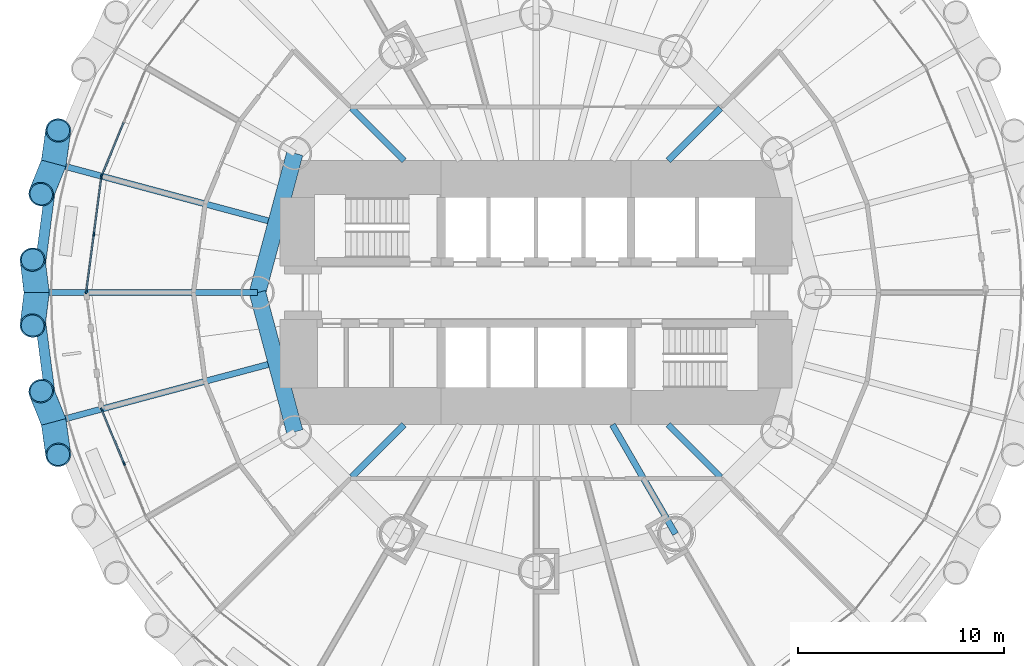
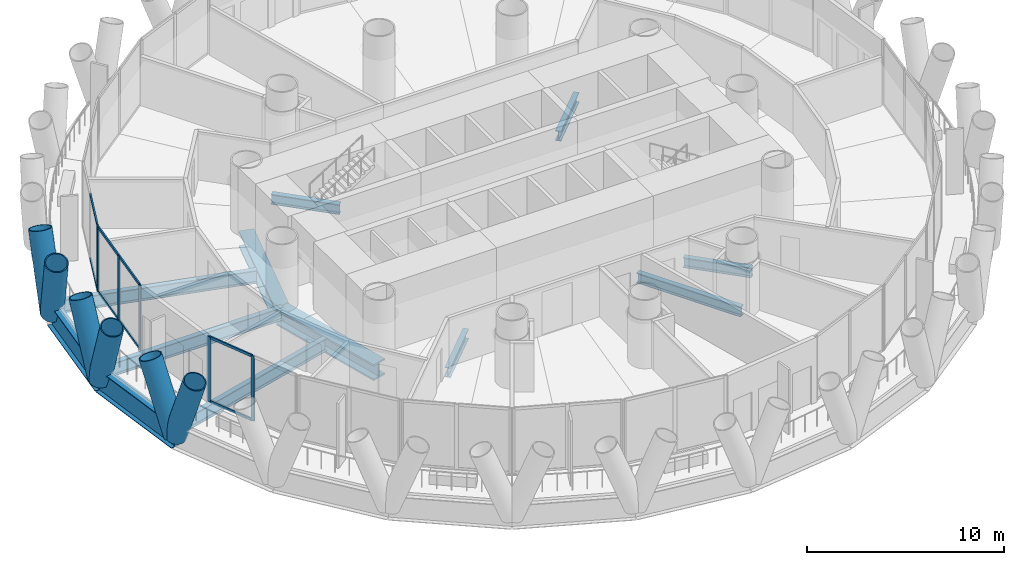
# One storey, part 3 of 16: 20 members, 12 beams, 3 elements without a shape of their own.
"""IFC4 building model written with IfcOpenShell, lengths in metres."""

from ifc_helpers import new_model, si_unit, direction, frame, origin, origin_2d, place, context, subcontext, project, spatial, rectangle, hollow_circle, i_section, extrude, material, material_profile, profile_set, type_object, element, aggregate, save


model = new_model("IFC4")

# Units and contexts
model_context = context("Model", 3, precision=1e-05, world=origin(), true_north=direction((0.0, 1.0)))
body_context = subcontext(model_context, "Body", "Model", "MODEL_VIEW")
ifc_project = project(units=[si_unit("LENGTHUNIT", "METRE"), si_unit("AREAUNIT", "SQUARE_METRE"), si_unit("VOLUMEUNIT", "CUBIC_METRE"), si_unit("PLANEANGLEUNIT", "RADIAN"), si_unit("MASSUNIT", "GRAM", prefix="KILO")], contexts=[model_context])

# Site, building, storey
site_placement = place(None, origin())
site = spatial("IfcSite", under=ifc_project, at=site_placement, CompositionType="ELEMENT")
building_placement = place(site_placement, origin())
building = spatial("IfcBuilding", under=site, at=building_placement, Name="Qaws Media Tower", CompositionType="ELEMENT")
storey_placement = place(building_placement, frame((0.0, 0.0, 42.800048828125)))
storey = spatial("IfcBuildingStorey", under=building, at=storey_placement, Name="L08", CompositionType="ELEMENT", Elevation=42.800048828125)

# Curtain wall, member
ifc_material_1 = material(Name="Aluminium and clear glass", Category="aluminium")
curtain_wall_type = type_object("IfcCurtainWallType", Name="Unitised curtain wall CW-A", PredefinedType="NOTDEFINED", material=ifc_material_1)
curtain_wall_1_placement = place(storey_placement, origin())
curtain_wall_1 = element("IfcCurtainWall", 1, at=curtain_wall_1_placement, inside=storey, type_object=curtain_wall_type, Name="CWA curtain wall L08-11", PredefinedType="NOTDEFINED")
ifc_material_2 = material(Name="Aluminium mullion", Category="aluminium")
ifc_material_profile_1 = material_profile(ifc_material_2, rectangle(XDim=0.080078125, YDim=0.199951171875, at=origin_2d()), Name="80x200")
ifc_profile_set_1 = profile_set([ifc_material_profile_1], Name="Aluminium mullion")
member_type_1 = type_object("IfcMemberType", Name="Curtain wall mullion 80x200", PredefinedType="MULLION", material=ifc_profile_set_1)
member_1_placement = place(storey_placement, frame((38.9580078125, 55.67919921875, 0.0), z_axis=(0.0, 0.0, 1.0), x_axis=(0.923879550311, -0.382683389393, 0.0)))
member_1 = element("IfcMember", 2, at=member_1_placement, type_object=member_type_1, Name="CWA mullion 3", PredefinedType="MULLION", context=body_context, shape_type="SweptSolid", body=[
    extrude(rectangle(XDim=0.080078125, YDim=0.199951171875, at=origin_2d()), origin(), (0.0, 0.0, 1.0), 4.0400390625),
])

# Curtain wall, members
curtain_wall_2_placement = place(storey_placement, origin())
curtain_wall_2 = element("IfcCurtainWall", 3, at=curtain_wall_2_placement, inside=storey, type_object=curtain_wall_type, Name="CWA curtain wall L08-12", PredefinedType="NOTDEFINED")
member_2_placement = place(storey_placement, frame((38.9375, 55.6025390625, 0.0), z_axis=(0.0, 0.0, 1.0), x_axis=(0.991444860526, -0.130526198657, 0.0)))
member_2 = element("IfcMember", 4, at=member_2_placement, type_object=member_type_1, Name="CWA mullion 1", PredefinedType="MULLION", context=body_context, shape_type="SweptSolid", body=[
    extrude(rectangle(XDim=0.080078125, YDim=0.199951171875, at=origin_2d()), origin(), (0.0, 0.0, 1.0), 4.0400390625),
])
member_3_placement = place(storey_placement, frame((38.5712890625, 52.821044921875, 0.0), z_axis=(0.0, 0.0, 1.0), x_axis=(0.991444860526, -0.130526198657, 0.0)))
member_3 = element("IfcMember", 5, at=member_3_placement, type_object=member_type_1, Name="CWA mullion 2", PredefinedType="MULLION", context=body_context, shape_type="SweptSolid", body=[
    extrude(rectangle(XDim=0.080078125, YDim=0.199951171875, at=origin_2d()), origin(), (0.0, 0.0, 1.0), 4.0400390625),
])
member_4_placement = place(storey_placement, frame((38.205322265625, 50.03955078125, 0.0), z_axis=(0.0, 0.0, 1.0), x_axis=(0.991444860526, -0.130526198657, 0.0)))
member_4 = element("IfcMember", 6, at=member_4_placement, type_object=member_type_1, Name="CWA mullion 3", PredefinedType="MULLION", context=body_context, shape_type="SweptSolid", body=[
    extrude(rectangle(XDim=0.080078125, YDim=0.199951171875, at=origin_2d()), origin(), (0.0, 0.0, 1.0), 4.0400390625),
])

curtain_wall_3_placement = place(storey_placement, origin())
curtain_wall_3 = element("IfcCurtainWall", 7, at=curtain_wall_3_placement, inside=storey, type_object=curtain_wall_type, Name="CWA curtain wall L08-14", PredefinedType="NOTDEFINED")
member_5_placement = place(storey_placement, frame((38.9580078125, 44.32080078125, 0.0), z_axis=(0.0, 0.0, 1.0), x_axis=(0.923879550311, 0.382683389393, 0.0)))
member_5 = element("IfcMember", 8, at=member_5_placement, type_object=member_type_1, Name="CWA mullion 1", PredefinedType="MULLION", context=body_context, shape_type="SweptSolid", body=[
    extrude(rectangle(XDim=0.080078125, YDim=0.199951171875, at=origin_2d()), origin(), (0.0, 0.0, 1.0), 4.0400390625),
])
member_6_placement = place(storey_placement, frame((40.03173828125, 41.728759765625, 0.0), z_axis=(0.0, 0.0, 1.0), x_axis=(0.923879550311, 0.382683389393, 0.0)))
member_6 = element("IfcMember", 9, at=member_6_placement, type_object=member_type_1, Name="CWA mullion 2", PredefinedType="MULLION", context=body_context, shape_type="SweptSolid", body=[
    extrude(rectangle(XDim=0.080078125, YDim=0.199951171875, at=origin_2d()), origin(), (0.0, 0.0, 1.0), 4.0400390625),
])

# Member
ifc_material_3 = material(Name="Aluminium transom", Category="aluminium")
ifc_material_profile_2 = material_profile(ifc_material_3, rectangle(XDim=0.080078125, YDim=0.159912109375, at=origin_2d()), Name="80x160")
ifc_profile_set_2 = profile_set([ifc_material_profile_2], Name="Aluminium transom")
member_type_2 = type_object("IfcMemberType", Name="Curtain wall transom 80x160", PredefinedType="USERDEFINED", material=ifc_profile_set_2)
member_7_placement = place(storey_placement, frame((40.016357421875, 58.234130859375, 0.0400390625), z_axis=(-0.382668241498, -0.923885824628, 0.0), x_axis=(0.923885824628, -0.382668241498, 0.0)))
member_7 = element("IfcMember", 10, at=member_7_placement, type_object=member_type_2, Name="CWA transom 2.1", ObjectType="TRANSOM", PredefinedType="USERDEFINED", context=body_context, shape_type="SweptSolid", body=[
    extrude(rectangle(XDim=0.080078125, YDim=0.159912109375, at=origin_2d()), origin(), (0.0, 0.0, 1.0), 2.7255859375),
])

member_8_placement = place(storey_placement, frame((40.016357421875, 58.234130859375, 4.0), z_axis=(-0.382668241498, -0.923885824628, 0.0), x_axis=(0.923885824628, -0.382668241498, 0.0)))
member_8 = element("IfcMember", 11, at=member_8_placement, type_object=member_type_2, Name="CWA transom 2.2", ObjectType="TRANSOM", PredefinedType="USERDEFINED", context=body_context, shape_type="SweptSolid", body=[
    extrude(rectangle(XDim=0.080078125, YDim=0.159912109375, at=origin_2d()), origin(), (0.0, 0.0, 1.0), 2.7255859375),
])

aggregate(curtain_wall_1, [member_1, member_7, member_8])

member_9_placement = place(storey_placement, frame((38.932373046875, 55.56298828125, 0.0400390625), z_axis=(-0.130514759302, -0.991446366479, 0.0), x_axis=(0.991446366479, -0.130514759302, 0.0)))
member_9 = element("IfcMember", 12, at=member_9_placement, type_object=member_type_2, Name="CWA transom 1.1", ObjectType="TRANSOM", PredefinedType="USERDEFINED", context=body_context, shape_type="SweptSolid", body=[
    extrude(rectangle(XDim=0.080078125, YDim=0.159912109375, at=origin_2d()), origin(), (0.0, 0.0, 1.0), 2.725341796875),
])

member_10_placement = place(storey_placement, frame((38.932373046875, 55.56298828125, 4.0), z_axis=(-0.130514759302, -0.991446366479, 0.0), x_axis=(0.991446366479, -0.130514759302, 0.0)))
member_10 = element("IfcMember", 13, at=member_10_placement, type_object=member_type_2, Name="CWA transom 1.2", ObjectType="TRANSOM", PredefinedType="USERDEFINED", context=body_context, shape_type="SweptSolid", body=[
    extrude(rectangle(XDim=0.080078125, YDim=0.159912109375, at=origin_2d()), origin(), (0.0, 0.0, 1.0), 2.725341796875),
])

member_11_placement = place(storey_placement, frame((38.566162109375, 52.781494140625, 0.0400390625), z_axis=(-0.130514759302, -0.991446366479, 0.0), x_axis=(0.991446366479, -0.130514759302, 0.0)))
member_11 = element("IfcMember", 14, at=member_11_placement, type_object=member_type_2, Name="CWA transom 2.1", ObjectType="TRANSOM", PredefinedType="USERDEFINED", context=body_context, shape_type="SweptSolid", body=[
    extrude(rectangle(XDim=0.080078125, YDim=0.159912109375, at=origin_2d()), origin(), (0.0, 0.0, 1.0), 2.725341796875),
])

member_12_placement = place(storey_placement, frame((38.566162109375, 52.781494140625, 4.0), z_axis=(-0.130514759302, -0.991446366479, 0.0), x_axis=(0.991446366479, -0.130514759302, 0.0)))
member_12 = element("IfcMember", 15, at=member_12_placement, type_object=member_type_2, Name="CWA transom 2.2", ObjectType="TRANSOM", PredefinedType="USERDEFINED", context=body_context, shape_type="SweptSolid", body=[
    extrude(rectangle(XDim=0.080078125, YDim=0.159912109375, at=origin_2d()), origin(), (0.0, 0.0, 1.0), 2.725341796875),
])

aggregate(curtain_wall_2, [member_2, member_3, member_4, member_9, member_10, member_11, member_12])

member_13_placement = place(storey_placement, frame((38.973388671875, 44.283935546875, 0.0400390625), z_axis=(0.382668241498, -0.923885824628, 0.0), x_axis=(0.923885824628, 0.382668241498, 0.0)))
member_13 = element("IfcMember", 16, at=member_13_placement, type_object=member_type_2, Name="CWA transom 1.1", ObjectType="TRANSOM", PredefinedType="USERDEFINED", context=body_context, shape_type="SweptSolid", body=[
    extrude(rectangle(XDim=0.080078125, YDim=0.159912109375, at=origin_2d()), origin(), (0.0, 0.0, 1.0), 2.7255859375),
])

member_14_placement = place(storey_placement, frame((38.973388671875, 44.283935546875, 4.0), z_axis=(0.382668241498, -0.923885824628, 0.0), x_axis=(0.923885824628, 0.382668241498, 0.0)))
member_14 = element("IfcMember", 17, at=member_14_placement, type_object=member_type_2, Name="CWA transom 1.2", ObjectType="TRANSOM", PredefinedType="USERDEFINED", context=body_context, shape_type="SweptSolid", body=[
    extrude(rectangle(XDim=0.080078125, YDim=0.159912109375, at=origin_2d()), origin(), (0.0, 0.0, 1.0), 2.7255859375),
])

aggregate(curtain_wall_3, [member_5, member_6, member_13, member_14])

# Members
ifc_material_4 = material(Name="Steel S460", Category="steel")
ifc_material_profile_3 = material_profile(ifc_material_4, hollow_circle(Radius=0.609619140625, WallThickness=0.06005859375, at=origin_2d()), Name="CHS 1219x60")
ifc_profile_set_3 = profile_set([ifc_material_profile_3], Name="Steel S460")
member_type_3 = type_object("IfcMemberType", Name="Diagrid member CHS 1219x60", PredefinedType="USERDEFINED", material=ifc_profile_set_3)
for number, where, z_axis, x_axis, name in (
    (18, (36.62451171875, 56.263427734375, -0.91015625), (-0.134426965907, -0.331970024406, 0.933662301763), (0.926890339933, -0.375332249798, 0.0), "DG1 diagrid L08 A12"),
    (19, (36.62451171875, 56.263427734375, -0.91015625), (0.049602737239, 0.354708414218, 0.933660275122), (-0.990363372463, 0.138493286786, 0.0), "DG1 diagrid L08 B12"),
):
    element("IfcMember", number, at=place(storey_placement, frame(where, z_axis=z_axis, x_axis=x_axis)), inside=storey, type_object=member_type_3, Name=name, ObjectType="DIAGRID", PredefinedType="USERDEFINED", context=body_context, shape_type="SweptSolid", body=[
        extrude(hollow_circle(Radius=0.609619140625, WallThickness=0.06005859375, at=origin_2d()), origin(), (0.0, 0.0, 1.0), 4.49853515625),
    ])
for number, where, z_axis, x_axis, name in (
    (20, (35.800048828125, 50.0, -0.91015625), (-0.043958409126, -0.35546614787, 0.933654901977), (0.992440190857, -0.122729244976, 0.0), "DG1 diagrid L08 A13"),
    (21, (35.800048828125, 50.0, -0.91015625), (-0.043958409126, 0.35546614787, 0.933654901977), (-0.992440190857, -0.122729244976, 0.0), "DG1 diagrid L08 B13"),
):
    element("IfcMember", number, at=place(storey_placement, frame(where, z_axis=z_axis, x_axis=x_axis)), inside=storey, type_object=member_type_3, Name=name, ObjectType="DIAGRID", PredefinedType="USERDEFINED", context=body_context, shape_type="SweptSolid", body=[
        extrude(hollow_circle(Radius=0.609619140625, WallThickness=0.06005859375, at=origin_2d()), origin(), (0.0, 0.0, 1.0), 4.498779296875),
    ])
for number, where, z_axis, x_axis, name in (
    (22, (36.62451171875, 43.736572265625, -0.91015625), (0.049602737239, -0.354708414218, 0.933660275122), (0.990363372463, 0.138493286786, 0.0), "DG1 diagrid L08 A14"),
    (23, (36.62451171875, 43.736572265625, -0.91015625), (-0.134426965907, 0.331970024406, 0.933662301763), (-0.926890339933, -0.375332249798, 0.0), "DG1 diagrid L08 B14"),
):
    element("IfcMember", number, at=place(storey_placement, frame(where, z_axis=z_axis, x_axis=x_axis)), inside=storey, type_object=member_type_3, Name=name, ObjectType="DIAGRID", PredefinedType="USERDEFINED", context=body_context, shape_type="SweptSolid", body=[
        extrude(hollow_circle(Radius=0.609619140625, WallThickness=0.06005859375, at=origin_2d()), origin(), (0.0, 0.0, 1.0), 4.49853515625),
    ])

# Beams
ifc_material_5 = material(Name="Steel S460", Category="steel")
ifc_material_profile_4 = material_profile(ifc_material_5, i_section(OverallWidth=0.5, OverallDepth=1.5, WebThickness=0.02001953125, FlangeThickness=0.0400390625, at=origin_2d()), Name="PG 1500x500")
ifc_profile_set_4 = profile_set([ifc_material_profile_4], Name="Steel S460")
beam_type_1 = type_object("IfcBeamType", Name="Edge ring beam PG 1500x500", PredefinedType="BEAM", material=ifc_profile_set_4)
for number, where, z_axis, x_axis, name in (
    (24, (36.62451171875, 56.263427734375, -0.91015625), (-0.130505495907, -0.991447585875, 0.0), (0.991447585875, -0.130505495907, 0.0), "RB4 edge ring beam L08-12"),
    (25, (35.800048828125, 50.0, -0.91015625), (0.130505495907, -0.991447585875, 0.0), (0.991447585875, 0.130505495907, 0.0), "RB4 edge ring beam L08-13"),
):
    element("IfcBeam", number, at=place(storey_placement, frame(where, z_axis=z_axis, x_axis=x_axis)), inside=storey, type_object=beam_type_1, Name=name, PredefinedType="BEAM", context=body_context, shape_type="SweptSolid", body=[
        extrude(i_section(OverallWidth=0.5, OverallDepth=1.5, WebThickness=0.02001953125, FlangeThickness=0.0400390625, at=origin_2d()), origin(), (0.0, 0.0, 1.0), 6.3173828125),
    ])
ifc_material_6 = material(Name="Steel S460", Category="steel")
ifc_material_profile_5 = material_profile(ifc_material_6, i_section(OverallWidth=0.800048828125, OverallDepth=1.0, WebThickness=0.0400390625, FlangeThickness=0.10009765625, at=origin_2d()), Name="PG 1000x800")
ifc_profile_set_5 = profile_set([ifc_material_profile_5], Name="Steel S460")
beam_type_2 = type_object("IfcBeamType", Name="Inner ring girder PG 1000x800", PredefinedType="BEAM", material=ifc_profile_set_5)
for number, where, z_axis, x_axis, name in (
    (26, (48.30859375, 56.75, -0.66015625), (-0.258810593767, -0.965928090778, 0.0), (0.965928090778, -0.258810593767, 0.0), "B3 inner ring beam L08 I06-I07"),
    (27, (46.5, 50.0, -0.66015625), (0.258810593767, -0.965928090778, 0.0), (0.965928090778, 0.258810593767, 0.0), "B3 inner ring beam L08 I07-I08"),
):
    element("IfcBeam", number, at=place(storey_placement, frame(where, z_axis=z_axis, x_axis=x_axis)), inside=storey, type_object=beam_type_2, Name=name, PredefinedType="BEAM", context=body_context, shape_type="SweptSolid", body=[
        extrude(i_section(OverallWidth=0.800048828125, OverallDepth=1.0, WebThickness=0.0400390625, FlangeThickness=0.10009765625, at=origin_2d()), origin(), (0.0, 0.0, 1.0), 6.988037109375),
    ])
ifc_material_7 = material(Name="Steel S355", Category="steel")
ifc_material_profile_6 = material_profile(ifc_material_7, i_section(OverallWidth=0.304931640625, OverallDepth=0.6201171875, WebThickness=0.02099609375, FlangeThickness=0.0400390625, FilletRadius=0.027099609375, at=origin_2d()), Name="HE 600 M")
ifc_profile_set_6 = profile_set([ifc_material_profile_6], Name="Steel S355")
beam_type_3 = type_object("IfcBeamType", Name="Radial beam HE 600 M, core side", PredefinedType="BEAM", material=ifc_profile_set_6)
for number, where, z_axis, x_axis, name in (
    (28, (66.39990234375, 56.39990234375, -0.469970703125), (0.707106781187, 0.707106781187, 0.0), (-0.707106781187, 0.707106781187, 0.0), "B2 radial beam L08 04"),
    (29, (53.60009765625, 56.39990234375, -0.469970703125), (-0.707106781187, 0.707106781187, 0.0), (-0.707106781187, -0.707106781187, 0.0), "B2 radial beam L08 10"),
    (30, (53.60009765625, 43.60009765625, -0.469970703125), (-0.707106781187, -0.707106781187, 0.0), (0.707106781187, -0.707106781187, 0.0), "B2 radial beam L08 16"),
):
    element("IfcBeam", number, at=place(storey_placement, frame(where, z_axis=z_axis, x_axis=x_axis)), inside=storey, type_object=beam_type_3, Name=name, PredefinedType="BEAM", context=body_context, shape_type="SweptSolid", body=[
        extrude(i_section(OverallWidth=0.304931640625, OverallDepth=0.6201171875, WebThickness=0.02099609375, FlangeThickness=0.0400390625, FilletRadius=0.027099609375, at=origin_2d()), origin(), (0.0, 0.0, 1.0), 3.589111328125),
    ])
beam_1_placement = place(storey_placement, frame((63.695068359375, 43.60009765625, -0.469970703125), z_axis=(0.49998532359, -0.866033877048, 0.0), x_axis=(0.866033877048, 0.49998532359, 0.0)))
element("IfcBeam", 31, at=beam_1_placement, inside=storey, type_object=beam_type_3, Name="B2 radial beam L08 21", PredefinedType="BEAM", context=body_context, shape_type="SweptSolid", body=[
    extrude(i_section(OverallWidth=0.304931640625, OverallDepth=0.6201171875, WebThickness=0.02099609375, FlangeThickness=0.0400390625, FilletRadius=0.027099609375, at=origin_2d()), origin(), (0.0, 0.0, 1.0), 6.110107421875),
])
beam_2_placement = place(storey_placement, frame((66.39990234375, 43.60009765625, -0.469970703125), z_axis=(0.707106781187, -0.707106781187, 0.0), x_axis=(0.707106781187, 0.707106781187, 0.0)))
element("IfcBeam", 32, at=beam_2_placement, inside=storey, type_object=beam_type_3, Name="B2 radial beam L08 22", PredefinedType="BEAM", context=body_context, shape_type="SweptSolid", body=[
    extrude(i_section(OverallWidth=0.304931640625, OverallDepth=0.6201171875, WebThickness=0.02099609375, FlangeThickness=0.0400390625, FilletRadius=0.027099609375, at=origin_2d()), origin(), (0.0, 0.0, 1.0), 3.589111328125),
])
ifc_material_8 = material(Name="Steel S355", Category="steel")
ifc_material_profile_7 = material_profile(ifc_material_8, i_section(OverallWidth=0.300048828125, OverallDepth=0.800048828125, WebThickness=0.017578125, FlangeThickness=0.032958984375, FilletRadius=0.030029296875, at=origin_2d()), Name="HE 800 B")
ifc_profile_set_7 = profile_set([ifc_material_profile_7], Name="Steel S355")
beam_type_4 = type_object("IfcBeamType", Name="Radial beam HE 800 B", PredefinedType="BEAM", material=ifc_profile_set_7)
beam_3_placement = place(storey_placement, frame((47.01806640625, 53.478515625, -0.56005859375), z_axis=(-0.965926580817, 0.25881622915, 0.0), x_axis=(-0.25881622915, -0.965926580817, 0.0)))
element("IfcBeam", 33, at=beam_3_placement, inside=storey, type_object=beam_type_4, Name="B1 radial beam L08 12", PredefinedType="BEAM", context=body_context, shape_type="SweptSolid", body=[
    extrude(i_section(OverallWidth=0.300048828125, OverallDepth=0.800048828125, WebThickness=0.017578125, FlangeThickness=0.032958984375, FilletRadius=0.030029296875, at=origin_2d()), origin(), (0.0, 0.0, 1.0), 10.76025390625),
])
beam_4_placement = place(storey_placement, frame((46.5, 50.0, -0.56005859375), z_axis=(-1.0, 0.0, 0.0), x_axis=(0.0, -1.0, 0.0)))
element("IfcBeam", 34, at=beam_4_placement, inside=storey, type_object=beam_type_4, Name="B1 radial beam L08 13", PredefinedType="BEAM", context=body_context, shape_type="SweptSolid", body=[
    extrude(i_section(OverallWidth=0.300048828125, OverallDepth=0.800048828125, WebThickness=0.017578125, FlangeThickness=0.032958984375, FilletRadius=0.030029296875, at=origin_2d()), origin(), (0.0, 0.0, 1.0), 10.699951171875),
])
beam_5_placement = place(storey_placement, frame((47.01806640625, 46.521484375, -0.56005859375), z_axis=(-0.965926580817, -0.25881622915, 0.0), x_axis=(0.25881622915, -0.965926580817, 0.0)))
element("IfcBeam", 35, at=beam_5_placement, inside=storey, type_object=beam_type_4, Name="B1 radial beam L08 14", PredefinedType="BEAM", context=body_context, shape_type="SweptSolid", body=[
    extrude(i_section(OverallWidth=0.300048828125, OverallDepth=0.800048828125, WebThickness=0.017578125, FlangeThickness=0.032958984375, FilletRadius=0.030029296875, at=origin_2d()), origin(), (0.0, 0.0, 1.0), 10.76025390625),
])

save(model, "model.ifc")
